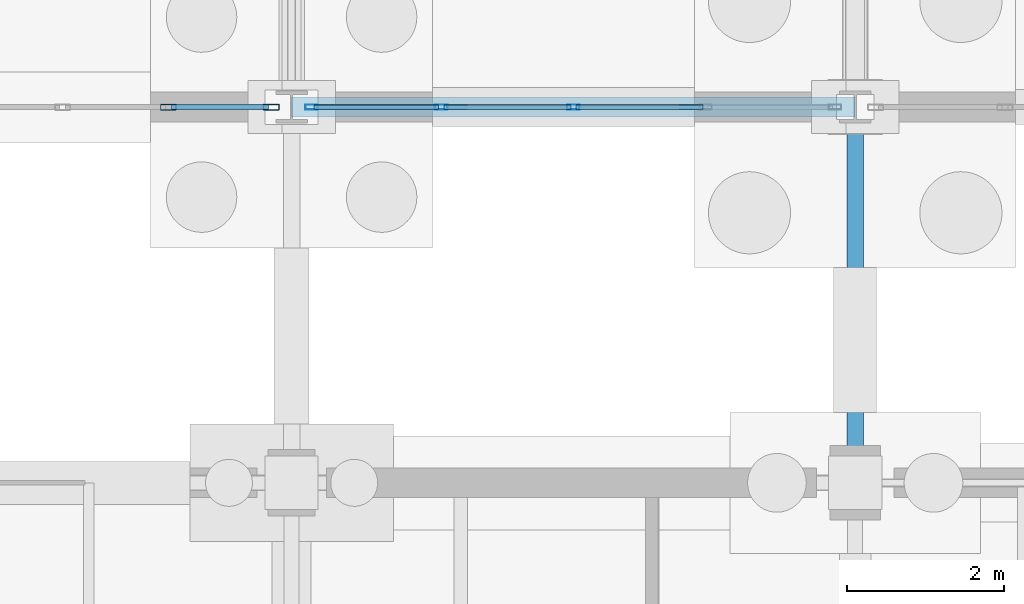
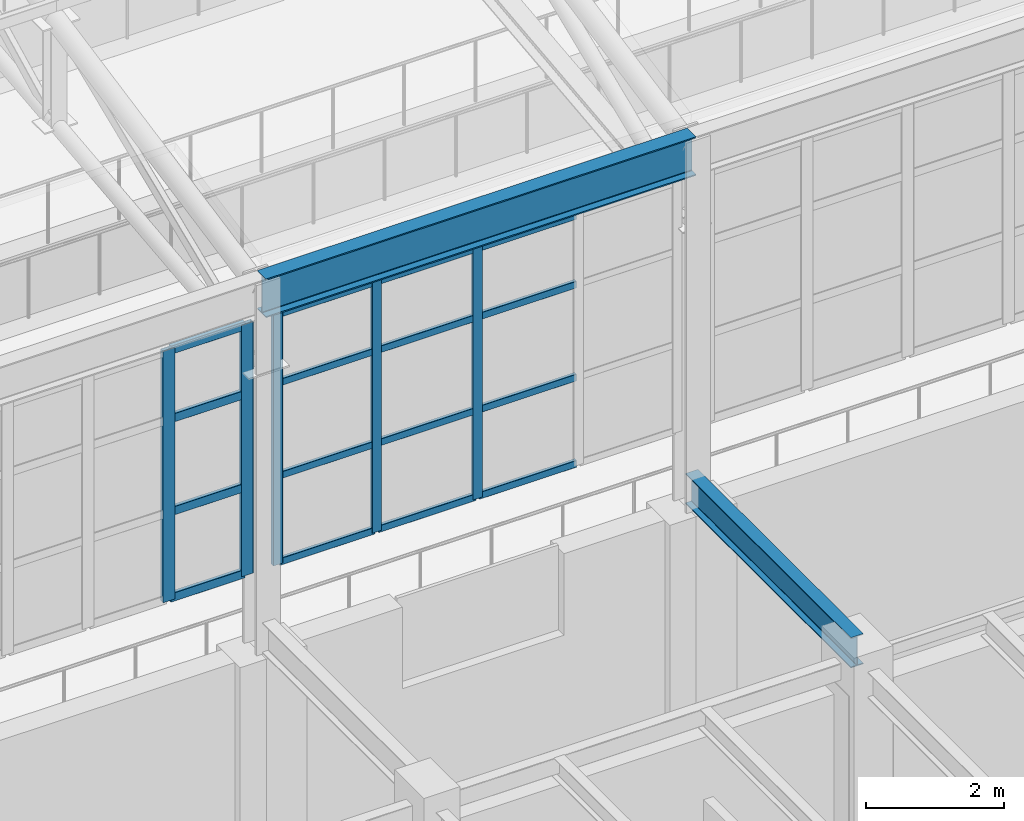
# One storey, part 165 of 293: 21 members, 2 beams, 2 elements without a shape of their own.
"""IFC4 building model written with IfcOpenShell, lengths in metres."""

from ifc_helpers import new_model, si_unit, direction, frame, origin, origin_2d, place, context, subcontext, project, spatial, hollow_rectangle, i_section, extrude, material, layer, layer_set, material_profile, profile_set, type_object, element, aggregate, save


model = new_model("IFC4")

# Units and contexts
model_context = context("Model", 3, precision=1e-05, world=origin(), true_north=direction((0.0, 1.0)))
body_context = subcontext(model_context, "Body", "Model", "MODEL_VIEW")
ifc_project = project(units=[si_unit("LENGTHUNIT", "METRE"), si_unit("AREAUNIT", "SQUARE_METRE"), si_unit("VOLUMEUNIT", "CUBIC_METRE"), si_unit("PLANEANGLEUNIT", "RADIAN"), si_unit("MASSUNIT", "GRAM", prefix="KILO")], contexts=[model_context])

# Site, building, storey
site_placement = place(None, origin())
site = spatial("IfcSite", under=ifc_project, at=site_placement, CompositionType="ELEMENT")
building_placement = place(site_placement, origin())
building = spatial("IfcBuilding", under=site, at=building_placement, Name="Kemerveld Promenade Tramway Depot", CompositionType="ELEMENT")
storey_placement = place(building_placement, origin())
storey = spatial("IfcBuildingStorey", under=building, at=storey_placement, Name="L00", CompositionType="ELEMENT", Elevation=0.0)

# Beams
ifc_material_1 = material(Name="Steel S355", Category="steel")
ifc_material_profile_1 = material_profile(ifc_material_1, i_section(OverallWidth=0.25439453125, OverallDepth=0.6875, WebThickness=0.01318359375, FlangeThickness=0.02099609375, FilletRadius=0.01513671875, at=origin_2d()), Name="686x254x152 UB")
ifc_profile_set_1 = profile_set([ifc_material_profile_1], Name="Steel S355")
beam_type_1 = type_object("IfcBeamType", Name="BM-G03", PredefinedType="BEAM", material=ifc_profile_set_1)
beam_1_placement = place(storey_placement, frame((129.60009765625, 84.0, 11.056396484375), z_axis=(1.0, 0.0, 0.0), x_axis=(0.0, 1.0, 0.0)))
element("IfcBeam", 1, at=beam_1_placement, inside=storey, type_object=beam_type_1, Name="BM-SHED-EAVE-N-19", PredefinedType="BEAM", context=body_context, shape_type="SweptSolid", body=[
    extrude(i_section(OverallWidth=0.25439453125, OverallDepth=0.6875, WebThickness=0.01318359375, FlangeThickness=0.02099609375, FilletRadius=0.01513671875, at=origin_2d()), origin(), (0.0, 0.0, 1.0), 7.199951171875),
])
ifc_material_profile_2 = material_profile(ifc_material_1, i_section(OverallWidth=0.2099609375, OverallDepth=0.53662109375, WebThickness=0.0107421875, FlangeThickness=0.017333984375, FilletRadius=0.0126953125, at=origin_2d()), Name="533x210x101 UB")
ifc_profile_set_2 = profile_set([ifc_material_profile_2], Name="Steel S355")
beam_type_2 = type_object("IfcBeamType", Name="BM-G05", PredefinedType="BEAM", material=ifc_profile_set_2)
beam_2_placement = place(storey_placement, frame((136.800048828125, 79.199951171875, 5.131591796875), z_axis=(0.0, 1.0, 0.0), x_axis=(-1.0, 0.0, 0.0)))
element("IfcBeam", 2, at=beam_2_placement, inside=storey, type_object=beam_type_2, Name="BM-LINK-20-MN", PredefinedType="BEAM", context=body_context, shape_type="SweptSolid", body=[
    extrude(i_section(OverallWidth=0.2099609375, OverallDepth=0.53662109375, WebThickness=0.0107421875, FlangeThickness=0.017333984375, FilletRadius=0.0126953125, at=origin_2d()), origin(), (0.0, 0.0, 1.0), 4.800048828125),
])

# Curtain wall, members
ifc_material_2 = material(Name="Bronze anodised aluminium and solar glass", Category="aluminium")
ifc_layer_1 = layer(ifc_material_2, 0.159912109375)
ifc_layer_set_1 = layer_set([ifc_layer_1], Name="CW-SYS-03")
curtain_wall_type_1 = type_object("IfcCurtainWallType", Name="CW-SYS-03", PredefinedType="USERDEFINED", material=ifc_layer_set_1)
curtain_wall_1_placement = place(storey_placement, origin())
curtain_wall_1 = element("IfcCurtainWall", 3, at=curtain_wall_1_placement, inside=storey, type_object=curtain_wall_type_1, Name="CW-V1-S-14", ObjectType="GLAZED_CURTAIN_WALL", PredefinedType="USERDEFINED")
ifc_material_3 = material(Name="Bronze anodised aluminium", Category="aluminium")
ifc_material_profile_3 = material_profile(ifc_material_3, hollow_rectangle(XDim=0.06494140625, YDim=0.159912109375, WallThickness=0.00390625, InnerFilletRadius=0.001953125, OuterFilletRadius=0.00390625, at=origin_2d()), Name="CW-MUL-160x65")
ifc_profile_set_3 = profile_set([ifc_material_profile_3], Name="Bronze anodised aluminium")
member_type_1 = type_object("IfcMemberType", Name="CW-MUL-A", PredefinedType="MULLION", material=ifc_profile_set_3)
member_1_placement = place(storey_placement, frame((133.199951171875, 84.0, 6.199951171875), z_axis=(0.0, 0.0, 1.0), x_axis=(0.0, -1.0, 0.0)))
member_1 = element("IfcMember", 4, at=member_1_placement, type_object=member_type_1, Name="CW03 mullion 3", PredefinedType="MULLION", context=body_context, shape_type="SweptSolid", body=[
    extrude(hollow_rectangle(XDim=0.06494140625, YDim=0.159912109375, WallThickness=0.00390625, InnerFilletRadius=0.001953125, OuterFilletRadius=0.00390625, at=origin_2d()), origin(), (0.0, 0.0, 1.0), 4.449951171875),
])
member_2_placement = place(storey_placement, frame((131.51171875, 84.0, 6.199951171875), z_axis=(0.0, 0.0, 1.0), x_axis=(0.0, -1.0, 0.0)))
member_2 = element("IfcMember", 5, at=member_2_placement, type_object=member_type_1, Name="CW03 mullion 4", PredefinedType="MULLION", context=body_context, shape_type="SweptSolid", body=[
    extrude(hollow_rectangle(XDim=0.06494140625, YDim=0.159912109375, WallThickness=0.00390625, InnerFilletRadius=0.001953125, OuterFilletRadius=0.00390625, at=origin_2d()), origin(), (0.0, 0.0, 1.0), 4.449951171875),
])
member_3_placement = place(storey_placement, frame((129.855712890625, 84.0, 6.199951171875), z_axis=(0.0, 0.0, 1.0), x_axis=(0.0, -1.0, 0.0)))
member_3 = element("IfcMember", 6, at=member_3_placement, type_object=member_type_1, Name="CW03 mullion 5", PredefinedType="MULLION", context=body_context, shape_type="SweptSolid", body=[
    extrude(hollow_rectangle(XDim=0.06494140625, YDim=0.159912109375, WallThickness=0.00390625, InnerFilletRadius=0.001953125, OuterFilletRadius=0.00390625, at=origin_2d()), origin(), (0.0, 0.0, 1.0), 4.449951171875),
])

ifc_layer_2 = layer(ifc_material_2, 0.199951171875)
ifc_layer_set_2 = layer_set([ifc_layer_2], Name="CW-SYS-02")
curtain_wall_type_2 = type_object("IfcCurtainWallType", Name="CW-SYS-02", PredefinedType="USERDEFINED", material=ifc_layer_set_2)
curtain_wall_2_placement = place(storey_placement, origin())
curtain_wall_2 = element("IfcCurtainWall", 7, at=curtain_wall_2_placement, inside=storey, type_object=curtain_wall_type_2, Name="CW-V1-S-13", ObjectType="GLAZED_CURTAIN_WALL", PredefinedType="USERDEFINED")
ifc_material_profile_4 = material_profile(ifc_material_3, hollow_rectangle(XDim=0.074951171875, YDim=0.199951171875, WallThickness=0.0048828125, InnerFilletRadius=0.001953125, OuterFilletRadius=0.0048828125, at=origin_2d()), Name="CW-MUL-200x75")
ifc_profile_set_4 = profile_set([ifc_material_profile_4], Name="Bronze anodised aluminium")
member_type_2 = type_object("IfcMemberType", Name="CW-MUL-B", PredefinedType="MULLION", material=ifc_profile_set_4)
member_4_placement = place(storey_placement, frame((129.33935546875, 84.0, 6.199951171875), z_axis=(0.0, 0.0, 1.0), x_axis=(0.0, -1.0, 0.0)))
member_4 = element("IfcMember", 8, at=member_4_placement, type_object=member_type_2, Name="CW02 mullion 1", PredefinedType="MULLION", context=body_context, shape_type="SweptSolid", body=[
    extrude(hollow_rectangle(XDim=0.074951171875, YDim=0.199951171875, WallThickness=0.0048828125, InnerFilletRadius=0.001953125, OuterFilletRadius=0.0048828125, at=origin_2d()), origin(), (0.0, 0.0, 1.0), 4.449951171875),
])
member_5_placement = place(storey_placement, frame((128.026123046875, 84.0, 6.199951171875), z_axis=(0.0, 0.0, 1.0), x_axis=(0.0, -1.0, 0.0)))
member_5 = element("IfcMember", 9, at=member_5_placement, type_object=member_type_2, Name="CW02 mullion 2", PredefinedType="MULLION", context=body_context, shape_type="SweptSolid", body=[
    extrude(hollow_rectangle(XDim=0.074951171875, YDim=0.199951171875, WallThickness=0.0048828125, InnerFilletRadius=0.001953125, OuterFilletRadius=0.0048828125, at=origin_2d()), origin(), (0.0, 0.0, 1.0), 4.449951171875),
])

# Member
ifc_material_profile_5 = material_profile(ifc_material_3, hollow_rectangle(XDim=0.06005859375, YDim=0.1201171875, WallThickness=0.00390625, InnerFilletRadius=0.001953125, OuterFilletRadius=0.00390625, at=origin_2d()), Name="CW-TRN-120x60")
ifc_profile_set_5 = profile_set([ifc_material_profile_5], Name="Bronze anodised aluminium")
member_type_3 = type_object("IfcMemberType", Name="CW-TRN-A", PredefinedType="USERDEFINED", material=ifc_profile_set_5)
member_6_placement = place(storey_placement, frame((134.85595703125, 84.0, 6.22998046875), z_axis=(-1.0, 0.0, 0.0), x_axis=(0.0, -1.0, 0.0)))
member_6 = element("IfcMember", 10, at=member_6_placement, type_object=member_type_3, Name="CW03 transom 2.1", ObjectType="TRANSOM", PredefinedType="USERDEFINED", context=body_context, shape_type="SweptSolid", body=[
    extrude(hollow_rectangle(XDim=0.06005859375, YDim=0.1201171875, WallThickness=0.00390625, InnerFilletRadius=0.001953125, OuterFilletRadius=0.00390625, at=origin_2d()), origin(), (0.0, 0.0, 1.0), 1.62353515625),
])

member_7_placement = place(storey_placement, frame((134.85595703125, 84.0, 7.758056640625), z_axis=(-1.0, 0.0, 0.0), x_axis=(0.0, -1.0, 0.0)))
member_7 = element("IfcMember", 11, at=member_7_placement, type_object=member_type_3, Name="CW03 transom 2.2", ObjectType="TRANSOM", PredefinedType="USERDEFINED", context=body_context, shape_type="SweptSolid", body=[
    extrude(hollow_rectangle(XDim=0.06005859375, YDim=0.1201171875, WallThickness=0.00390625, InnerFilletRadius=0.001953125, OuterFilletRadius=0.00390625, at=origin_2d()), origin(), (0.0, 0.0, 1.0), 1.62353515625),
])

member_8_placement = place(storey_placement, frame((134.85595703125, 84.0, 9.404052734375), z_axis=(-1.0, 0.0, 0.0), x_axis=(0.0, -1.0, 0.0)))
member_8 = element("IfcMember", 12, at=member_8_placement, type_object=member_type_3, Name="CW03 transom 2.3", ObjectType="TRANSOM", PredefinedType="USERDEFINED", context=body_context, shape_type="SweptSolid", body=[
    extrude(hollow_rectangle(XDim=0.06005859375, YDim=0.1201171875, WallThickness=0.00390625, InnerFilletRadius=0.001953125, OuterFilletRadius=0.00390625, at=origin_2d()), origin(), (0.0, 0.0, 1.0), 1.62353515625),
])

member_9_placement = place(storey_placement, frame((134.85595703125, 84.0, 10.6201171875), z_axis=(-1.0, 0.0, 0.0), x_axis=(0.0, -1.0, 0.0)))
member_9 = element("IfcMember", 13, at=member_9_placement, type_object=member_type_3, Name="CW03 transom 2.4", ObjectType="TRANSOM", PredefinedType="USERDEFINED", context=body_context, shape_type="SweptSolid", body=[
    extrude(hollow_rectangle(XDim=0.06005859375, YDim=0.1201171875, WallThickness=0.00390625, InnerFilletRadius=0.001953125, OuterFilletRadius=0.00390625, at=origin_2d()), origin(), (0.0, 0.0, 1.0), 1.62353515625),
])

member_10_placement = place(storey_placement, frame((133.16748046875, 84.0, 6.22998046875), z_axis=(-1.0, 0.0, 0.0), x_axis=(0.0, -1.0, 0.0)))
member_10 = element("IfcMember", 14, at=member_10_placement, type_object=member_type_3, Name="CW03 transom 3.1", ObjectType="TRANSOM", PredefinedType="USERDEFINED", context=body_context, shape_type="SweptSolid", body=[
    extrude(hollow_rectangle(XDim=0.06005859375, YDim=0.1201171875, WallThickness=0.00390625, InnerFilletRadius=0.001953125, OuterFilletRadius=0.00390625, at=origin_2d()), origin(), (0.0, 0.0, 1.0), 1.623291015625),
])

member_11_placement = place(storey_placement, frame((133.16748046875, 84.0, 7.758056640625), z_axis=(-1.0, 0.0, 0.0), x_axis=(0.0, -1.0, 0.0)))
member_11 = element("IfcMember", 15, at=member_11_placement, type_object=member_type_3, Name="CW03 transom 3.2", ObjectType="TRANSOM", PredefinedType="USERDEFINED", context=body_context, shape_type="SweptSolid", body=[
    extrude(hollow_rectangle(XDim=0.06005859375, YDim=0.1201171875, WallThickness=0.00390625, InnerFilletRadius=0.001953125, OuterFilletRadius=0.00390625, at=origin_2d()), origin(), (0.0, 0.0, 1.0), 1.623291015625),
])

member_12_placement = place(storey_placement, frame((133.16748046875, 84.0, 9.404052734375), z_axis=(-1.0, 0.0, 0.0), x_axis=(0.0, -1.0, 0.0)))
member_12 = element("IfcMember", 16, at=member_12_placement, type_object=member_type_3, Name="CW03 transom 3.3", ObjectType="TRANSOM", PredefinedType="USERDEFINED", context=body_context, shape_type="SweptSolid", body=[
    extrude(hollow_rectangle(XDim=0.06005859375, YDim=0.1201171875, WallThickness=0.00390625, InnerFilletRadius=0.001953125, OuterFilletRadius=0.00390625, at=origin_2d()), origin(), (0.0, 0.0, 1.0), 1.623291015625),
])

member_13_placement = place(storey_placement, frame((133.16748046875, 84.0, 10.6201171875), z_axis=(-1.0, 0.0, 0.0), x_axis=(0.0, -1.0, 0.0)))
member_13 = element("IfcMember", 17, at=member_13_placement, type_object=member_type_3, Name="CW03 transom 3.4", ObjectType="TRANSOM", PredefinedType="USERDEFINED", context=body_context, shape_type="SweptSolid", body=[
    extrude(hollow_rectangle(XDim=0.06005859375, YDim=0.1201171875, WallThickness=0.00390625, InnerFilletRadius=0.001953125, OuterFilletRadius=0.00390625, at=origin_2d()), origin(), (0.0, 0.0, 1.0), 1.623291015625),
])

member_14_placement = place(storey_placement, frame((131.47900390625, 84.0, 6.22998046875), z_axis=(-1.0, 0.0, 0.0), x_axis=(0.0, -1.0, 0.0)))
member_14 = element("IfcMember", 18, at=member_14_placement, type_object=member_type_3, Name="CW03 transom 4.1", ObjectType="TRANSOM", PredefinedType="USERDEFINED", context=body_context, shape_type="SweptSolid", body=[
    extrude(hollow_rectangle(XDim=0.06005859375, YDim=0.1201171875, WallThickness=0.00390625, InnerFilletRadius=0.001953125, OuterFilletRadius=0.00390625, at=origin_2d()), origin(), (0.0, 0.0, 1.0), 1.5908203125),
])

member_15_placement = place(storey_placement, frame((131.47900390625, 84.0, 7.758056640625), z_axis=(-1.0, 0.0, 0.0), x_axis=(0.0, -1.0, 0.0)))
member_15 = element("IfcMember", 19, at=member_15_placement, type_object=member_type_3, Name="CW03 transom 4.2", ObjectType="TRANSOM", PredefinedType="USERDEFINED", context=body_context, shape_type="SweptSolid", body=[
    extrude(hollow_rectangle(XDim=0.06005859375, YDim=0.1201171875, WallThickness=0.00390625, InnerFilletRadius=0.001953125, OuterFilletRadius=0.00390625, at=origin_2d()), origin(), (0.0, 0.0, 1.0), 1.5908203125),
])

member_16_placement = place(storey_placement, frame((131.47900390625, 84.0, 9.404052734375), z_axis=(-1.0, 0.0, 0.0), x_axis=(0.0, -1.0, 0.0)))
member_16 = element("IfcMember", 20, at=member_16_placement, type_object=member_type_3, Name="CW03 transom 4.3", ObjectType="TRANSOM", PredefinedType="USERDEFINED", context=body_context, shape_type="SweptSolid", body=[
    extrude(hollow_rectangle(XDim=0.06005859375, YDim=0.1201171875, WallThickness=0.00390625, InnerFilletRadius=0.001953125, OuterFilletRadius=0.00390625, at=origin_2d()), origin(), (0.0, 0.0, 1.0), 1.5908203125),
])

member_17_placement = place(storey_placement, frame((131.47900390625, 84.0, 10.6201171875), z_axis=(-1.0, 0.0, 0.0), x_axis=(0.0, -1.0, 0.0)))
member_17 = element("IfcMember", 21, at=member_17_placement, type_object=member_type_3, Name="CW03 transom 4.4", ObjectType="TRANSOM", PredefinedType="USERDEFINED", context=body_context, shape_type="SweptSolid", body=[
    extrude(hollow_rectangle(XDim=0.06005859375, YDim=0.1201171875, WallThickness=0.00390625, InnerFilletRadius=0.001953125, OuterFilletRadius=0.00390625, at=origin_2d()), origin(), (0.0, 0.0, 1.0), 1.5908203125),
])

aggregate(curtain_wall_1, [member_1, member_2, member_3, member_6, member_7, member_8, member_9, member_10, member_11, member_12, member_13, member_14, member_15, member_16, member_17])

ifc_material_profile_6 = material_profile(ifc_material_3, hollow_rectangle(XDim=0.06494140625, YDim=0.14990234375, WallThickness=0.00439453125, InnerFilletRadius=0.001953125, OuterFilletRadius=0.00439453125, at=origin_2d()), Name="CW-TRN-150x65")
ifc_profile_set_6 = profile_set([ifc_material_profile_6], Name="Bronze anodised aluminium")
member_type_4 = type_object("IfcMemberType", Name="CW-TRN-B", PredefinedType="USERDEFINED", material=ifc_profile_set_6)
member_18_placement = place(storey_placement, frame((129.3017578125, 84.0, 6.232421875), z_axis=(-1.0, 0.0, 0.0), x_axis=(0.0, -1.0, 0.0)))
member_18 = element("IfcMember", 22, at=member_18_placement, type_object=member_type_4, Name="CW02 transom 1.1", ObjectType="TRANSOM", PredefinedType="USERDEFINED", context=body_context, shape_type="SweptSolid", body=[
    extrude(hollow_rectangle(XDim=0.06494140625, YDim=0.14990234375, WallThickness=0.00439453125, InnerFilletRadius=0.001953125, OuterFilletRadius=0.00439453125, at=origin_2d()), origin(), (0.0, 0.0, 1.0), 1.23828125),
])

member_19_placement = place(storey_placement, frame((129.3017578125, 84.0, 7.758056640625), z_axis=(-1.0, 0.0, 0.0), x_axis=(0.0, -1.0, 0.0)))
member_19 = element("IfcMember", 23, at=member_19_placement, type_object=member_type_4, Name="CW02 transom 1.2", ObjectType="TRANSOM", PredefinedType="USERDEFINED", context=body_context, shape_type="SweptSolid", body=[
    extrude(hollow_rectangle(XDim=0.06494140625, YDim=0.14990234375, WallThickness=0.00439453125, InnerFilletRadius=0.001953125, OuterFilletRadius=0.00439453125, at=origin_2d()), origin(), (0.0, 0.0, 1.0), 1.23828125),
])

member_20_placement = place(storey_placement, frame((129.3017578125, 84.0, 9.404052734375), z_axis=(-1.0, 0.0, 0.0), x_axis=(0.0, -1.0, 0.0)))
member_20 = element("IfcMember", 24, at=member_20_placement, type_object=member_type_4, Name="CW02 transom 1.3", ObjectType="TRANSOM", PredefinedType="USERDEFINED", context=body_context, shape_type="SweptSolid", body=[
    extrude(hollow_rectangle(XDim=0.06494140625, YDim=0.14990234375, WallThickness=0.00439453125, InnerFilletRadius=0.001953125, OuterFilletRadius=0.00439453125, at=origin_2d()), origin(), (0.0, 0.0, 1.0), 1.23828125),
])

member_21_placement = place(storey_placement, frame((129.3017578125, 84.0, 10.617431640625), z_axis=(-1.0, 0.0, 0.0), x_axis=(0.0, -1.0, 0.0)))
member_21 = element("IfcMember", 25, at=member_21_placement, type_object=member_type_4, Name="CW02 transom 1.4", ObjectType="TRANSOM", PredefinedType="USERDEFINED", context=body_context, shape_type="SweptSolid", body=[
    extrude(hollow_rectangle(XDim=0.06494140625, YDim=0.14990234375, WallThickness=0.00439453125, InnerFilletRadius=0.001953125, OuterFilletRadius=0.00439453125, at=origin_2d()), origin(), (0.0, 0.0, 1.0), 1.23828125),
])

aggregate(curtain_wall_2, [member_4, member_5, member_18, member_19, member_20, member_21])

save(model, "model.ifc")
